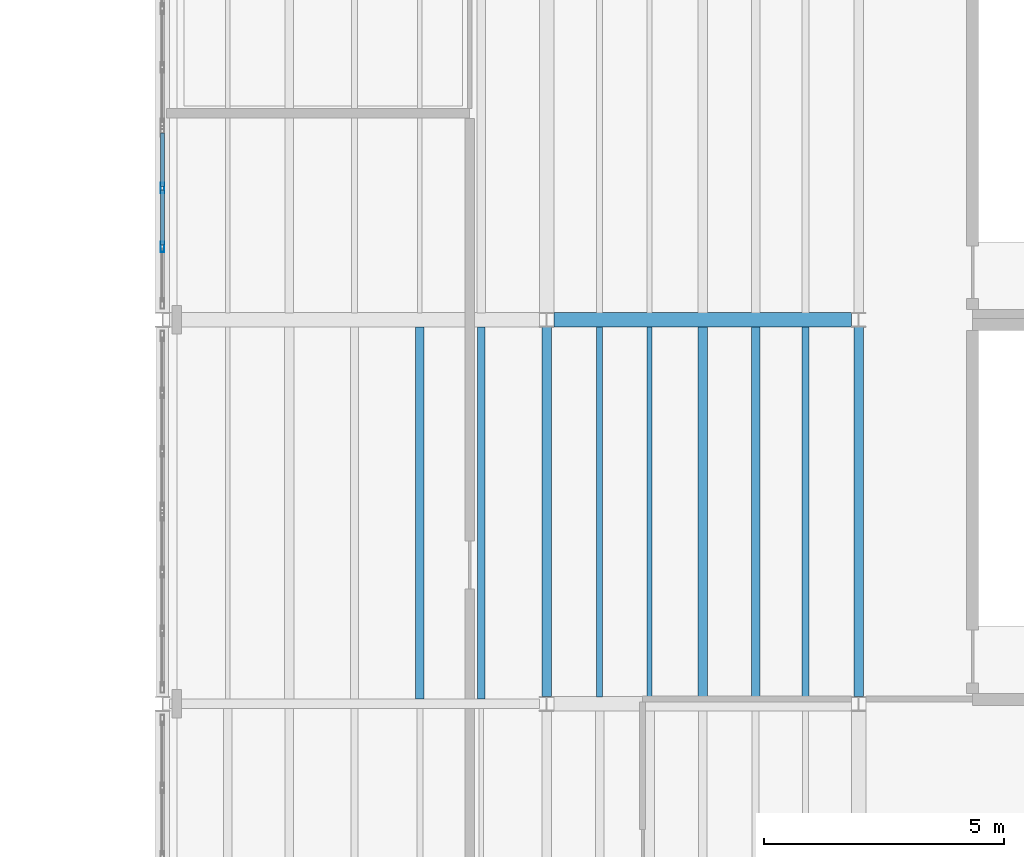
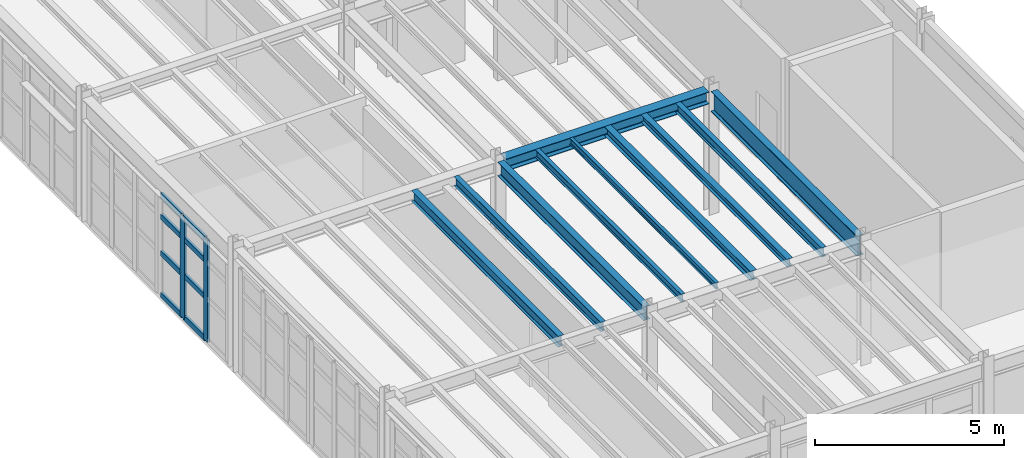
# One storey, part 6 of 27: 10 beams, 10 members, 1 element without a shape of its own.
"""IFC4 building model written with IfcOpenShell, lengths in metres."""

from ifc_helpers import new_model, si_unit, direction, frame, origin, origin_2d, place, context, subcontext, project, spatial, hollow_rectangle, i_section, extrude, material, material_profile, profile_set, type_object, element, aggregate, save


model = new_model("IFC4")

# Units and contexts
model_context = context("Model", 3, precision=1e-05, world=origin(), true_north=direction((0.0, 1.0)))
body_context = subcontext(model_context, "Body", "Model", "MODEL_VIEW")
ifc_project = project(units=[si_unit("LENGTHUNIT", "METRE"), si_unit("AREAUNIT", "SQUARE_METRE"), si_unit("VOLUMEUNIT", "CUBIC_METRE"), si_unit("PLANEANGLEUNIT", "RADIAN"), si_unit("MASSUNIT", "GRAM", prefix="KILO"), si_unit("THERMODYNAMICTEMPERATUREUNIT", "KELVIN"), si_unit("POWERUNIT", "WATT")], contexts=[model_context])

# Site, building, storey
site_placement = place(None, origin())
site = spatial("IfcSite", under=ifc_project, at=site_placement, CompositionType="ELEMENT")
building_placement = place(site_placement, origin())
building = spatial("IfcBuilding", under=site, at=building_placement, Name="Zhenchuan Central Fire Station", CompositionType="ELEMENT")
storey_placement = place(building_placement, frame((0.0, 0.0, 14.25)))
storey = spatial("IfcBuildingStorey", under=building, at=storey_placement, Name="L04", CompositionType="ELEMENT", Elevation=14.25)

# Beams
ifc_material_1 = material(Name="Steel Q355B", Category="steel")
ifc_material_profile_1 = material_profile(ifc_material_1, i_section(OverallWidth=0.300048828125, OverallDepth=0.389892578125, WebThickness=0.010009765625, FlangeThickness=0.01611328125, FilletRadius=0.02001953125, at=origin_2d()), Name="HM 390x300")
ifc_profile_set_1 = profile_set([ifc_material_profile_1], Name="Steel Q355B")
beam_type_1 = type_object("IfcBeamType", Name="BM-HM390-INT", PredefinedType="BEAM", material=ifc_profile_set_1)
beam_1_placement = place(storey_placement, frame((148.14990234375, 14.5, 3.784912109375), z_axis=(1.0, 0.0, 0.0), x_axis=(0.0, 1.0, 0.0)))
element("IfcBeam", 1, at=beam_1_placement, inside=storey, type_object=beam_type_1, Name="L05 Girder EW 0437", PredefinedType="BEAM", context=body_context, shape_type="SweptSolid", body=[
    extrude(i_section(OverallWidth=0.300048828125, OverallDepth=0.389892578125, WebThickness=0.010009765625, FlangeThickness=0.01611328125, FilletRadius=0.02001953125, at=origin_2d()), origin(), (0.0, 0.0, 1.0), 6.2001953125),
])
ifc_material_profile_2 = material_profile(ifc_material_1, i_section(OverallWidth=0.199951171875, OverallDepth=0.449951171875, WebThickness=0.009033203125, FlangeThickness=0.013916015625, FilletRadius=0.01806640625, at=origin_2d()), Name="HN 450x200")
ifc_profile_set_2 = profile_set([ifc_material_profile_2], Name="Steel Q355B")
beam_type_2 = type_object("IfcBeamType", Name="BM-HN450", PredefinedType="BEAM", material=ifc_profile_set_2)
beam_2_placement = place(storey_placement, frame((148.0, 6.64990234375, 3.7548828125), z_axis=(0.0, 1.0, 0.0), x_axis=(-1.0, 0.0, 0.0)))
element("IfcBeam", 2, at=beam_2_placement, inside=storey, type_object=beam_type_2, Name="L05 Girder NS 0467", PredefinedType="BEAM", context=body_context, shape_type="SweptSolid", body=[
    extrude(i_section(OverallWidth=0.199951171875, OverallDepth=0.449951171875, WebThickness=0.009033203125, FlangeThickness=0.013916015625, FilletRadius=0.01806640625, at=origin_2d()), origin(), (0.0, 0.0, 1.0), 7.7001953125),
])
ifc_material_profile_3 = material_profile(ifc_material_1, i_section(OverallWidth=0.199951171875, OverallDepth=0.64990234375, WebThickness=0.011962890625, FlangeThickness=0.02001953125, FilletRadius=0.02197265625, at=origin_2d()), Name="HN 650x200")
ifc_profile_set_3 = profile_set([ifc_material_profile_3], Name="Steel Q355B")
beam_type_3 = type_object("IfcBeamType", Name="BM-HN650", PredefinedType="BEAM", material=ifc_profile_set_3)
beam_3_placement = place(storey_placement, frame((154.5, 6.64990234375, 3.655029296875), z_axis=(0.0, 1.0, 0.0), x_axis=(-1.0, 0.0, 0.0)))
element("IfcBeam", 3, at=beam_3_placement, inside=storey, type_object=beam_type_3, Name="L05 Girder NS 0474", PredefinedType="BEAM", context=body_context, shape_type="SweptSolid", body=[
    extrude(i_section(OverallWidth=0.199951171875, OverallDepth=0.64990234375, WebThickness=0.011962890625, FlangeThickness=0.02001953125, FilletRadius=0.02197265625, at=origin_2d()), origin(), (0.0, 0.0, 1.0), 7.7001953125),
])

# Curtain wall, members
ifc_material_2 = material(Name="Anodised aluminium and low-E glazing", Category="aluminium")
curtain_wall_type = type_object("IfcCurtainWallType", Name="CW-MOD-14", PredefinedType="USERDEFINED", material=ifc_material_2)
curtain_wall_placement = place(storey_placement, origin())
curtain_wall = element("IfcCurtainWall", 4, at=curtain_wall_placement, inside=storey, type_object=curtain_wall_type, Name="L04 Unitised Curtain Wall 136", ObjectType="UNITISED GLAZING", PredefinedType="USERDEFINED")
ifc_material_3 = material(Name="Anodised aluminium EN AW-6063", Category="aluminium")
ifc_material_profile_4 = material_profile(ifc_material_3, hollow_rectangle(XDim=0.080078125, YDim=0.219970703125, WallThickness=0.005615234375, at=origin_2d()), Name="ALU-M 220x80")
ifc_profile_set_4 = profile_set([ifc_material_profile_4], Name="Anodised aluminium EN AW-6063")
member_type_1 = type_object("IfcMemberType", Name="CW-MUL200", PredefinedType="MULLION", material=ifc_profile_set_4)
member_1_placement = place(storey_placement, frame((140.0, 16.020751953125, -0.00390625), z_axis=(0.0, 0.0, 1.0), x_axis=(-1.0, 0.0, 0.0)))
member_1 = element("IfcMember", 5, at=member_1_placement, type_object=member_type_1, Name="CW-14 mullion 2", PredefinedType="MULLION", context=body_context, shape_type="SweptSolid", body=[
    extrude(hollow_rectangle(XDim=0.080078125, YDim=0.219970703125, WallThickness=0.005615234375, at=origin_2d()), origin(), (0.0, 0.0, 1.0), 3.27783203125),
])
member_2_placement = place(storey_placement, frame((140.0, 17.241455078125, -0.00390625), z_axis=(0.0, 0.0, 1.0), x_axis=(-1.0, 0.0, 0.0)))
member_2 = element("IfcMember", 6, at=member_2_placement, type_object=member_type_1, Name="CW-14 mullion 3", PredefinedType="MULLION", context=body_context, shape_type="SweptSolid", body=[
    extrude(hollow_rectangle(XDim=0.080078125, YDim=0.219970703125, WallThickness=0.005615234375, at=origin_2d()), origin(), (0.0, 0.0, 1.0), 3.27783203125),
])
ifc_material_profile_5 = material_profile(ifc_material_3, hollow_rectangle(XDim=0.080078125, YDim=0.1650390625, WallThickness=0.0048828125, at=origin_2d()), Name="ALU-T 165x80")
ifc_profile_set_5 = profile_set([ifc_material_profile_5], Name="Anodised aluminium EN AW-6063")
member_type_2 = type_object("IfcMemberType", Name="CW-TRN150", PredefinedType="NOTDEFINED", material=ifc_profile_set_5)
member_3_placement = place(storey_placement, frame((140.0, 16.05810546875, 0.033447265625), z_axis=(0.0, 1.0, 0.0), x_axis=(-1.0, 0.0, 0.0)))
member_3 = element("IfcMember", 7, at=member_3_placement, type_object=member_type_2, Name="CW-14 transom 2.1", ObjectType="TRANSOM", PredefinedType="USERDEFINED", context=body_context, shape_type="SweptSolid", body=[
    extrude(hollow_rectangle(XDim=0.080078125, YDim=0.1650390625, WallThickness=0.0048828125, at=origin_2d()), origin(), (0.0, 0.0, 1.0), 1.145751953125),
])
member_4_placement = place(storey_placement, frame((140.0, 16.05810546875, 1.375), z_axis=(0.0, 1.0, 0.0), x_axis=(-1.0, 0.0, 0.0)))
member_4 = element("IfcMember", 8, at=member_4_placement, type_object=member_type_2, Name="CW-14 transom 2.2", ObjectType="TRANSOM", PredefinedType="USERDEFINED", context=body_context, shape_type="SweptSolid", body=[
    extrude(hollow_rectangle(XDim=0.080078125, YDim=0.1650390625, WallThickness=0.0048828125, at=origin_2d()), origin(), (0.0, 0.0, 1.0), 1.145751953125),
])
member_5_placement = place(storey_placement, frame((140.0, 16.05810546875, 2.5537109375), z_axis=(0.0, 1.0, 0.0), x_axis=(-1.0, 0.0, 0.0)))
member_5 = element("IfcMember", 9, at=member_5_placement, type_object=member_type_2, Name="CW-14 transom 2.3", ObjectType="TRANSOM", PredefinedType="USERDEFINED", context=body_context, shape_type="SweptSolid", body=[
    extrude(hollow_rectangle(XDim=0.080078125, YDim=0.1650390625, WallThickness=0.0048828125, at=origin_2d()), origin(), (0.0, 0.0, 1.0), 1.145751953125),
])
member_6_placement = place(storey_placement, frame((140.0, 16.05810546875, 3.236572265625), z_axis=(0.0, 1.0, 0.0), x_axis=(-1.0, 0.0, 0.0)))
member_6 = element("IfcMember", 10, at=member_6_placement, type_object=member_type_2, Name="CW-14 transom 2.4", ObjectType="TRANSOM", PredefinedType="USERDEFINED", context=body_context, shape_type="SweptSolid", body=[
    extrude(hollow_rectangle(XDim=0.080078125, YDim=0.1650390625, WallThickness=0.0048828125, at=origin_2d()), origin(), (0.0, 0.0, 1.0), 1.145751953125),
])
member_7_placement = place(storey_placement, frame((140.0, 17.27880859375, 0.033447265625), z_axis=(0.0, 1.0, 0.0), x_axis=(-1.0, 0.0, 0.0)))
member_7 = element("IfcMember", 11, at=member_7_placement, type_object=member_type_2, Name="CW-14 transom 3.1", ObjectType="TRANSOM", PredefinedType="USERDEFINED", context=body_context, shape_type="SweptSolid", body=[
    extrude(hollow_rectangle(XDim=0.080078125, YDim=0.1650390625, WallThickness=0.0048828125, at=origin_2d()), origin(), (0.0, 0.0, 1.0), 1.108154296875),
])
member_8_placement = place(storey_placement, frame((140.0, 17.27880859375, 1.375), z_axis=(0.0, 1.0, 0.0), x_axis=(-1.0, 0.0, 0.0)))
member_8 = element("IfcMember", 12, at=member_8_placement, type_object=member_type_2, Name="CW-14 transom 3.2", ObjectType="TRANSOM", PredefinedType="USERDEFINED", context=body_context, shape_type="SweptSolid", body=[
    extrude(hollow_rectangle(XDim=0.080078125, YDim=0.1650390625, WallThickness=0.0048828125, at=origin_2d()), origin(), (0.0, 0.0, 1.0), 1.108154296875),
])
member_9_placement = place(storey_placement, frame((140.0, 17.27880859375, 2.5537109375), z_axis=(0.0, 1.0, 0.0), x_axis=(-1.0, 0.0, 0.0)))
member_9 = element("IfcMember", 13, at=member_9_placement, type_object=member_type_2, Name="CW-14 transom 3.3", ObjectType="TRANSOM", PredefinedType="USERDEFINED", context=body_context, shape_type="SweptSolid", body=[
    extrude(hollow_rectangle(XDim=0.080078125, YDim=0.1650390625, WallThickness=0.0048828125, at=origin_2d()), origin(), (0.0, 0.0, 1.0), 1.108154296875),
])
member_10_placement = place(storey_placement, frame((140.0, 17.27880859375, 3.236572265625), z_axis=(0.0, 1.0, 0.0), x_axis=(-1.0, 0.0, 0.0)))
member_10 = element("IfcMember", 14, at=member_10_placement, type_object=member_type_2, Name="CW-14 transom 3.4", ObjectType="TRANSOM", PredefinedType="USERDEFINED", context=body_context, shape_type="SweptSolid", body=[
    extrude(hollow_rectangle(XDim=0.080078125, YDim=0.1650390625, WallThickness=0.0048828125, at=origin_2d()), origin(), (0.0, 0.0, 1.0), 1.108154296875),
])
aggregate(curtain_wall, [member_1, member_2, member_3, member_4, member_5, member_6, member_7, member_8, member_9, member_10])

# Beams
ifc_material_profile_6 = material_profile(ifc_material_1, i_section(OverallWidth=0.175048828125, OverallDepth=0.243896484375, WebThickness=0.007080078125, FlangeThickness=0.010986328125, FilletRadius=0.012939453125, at=origin_2d()), Name="HM 244x175")
ifc_profile_set_6 = profile_set([ifc_material_profile_6], Name="Steel Q355B")
beam_type_4 = type_object("IfcBeamType", Name="JS-HM244", PredefinedType="JOIST", material=ifc_profile_set_6)
beam_4_placement = place(storey_placement, frame((152.35498046875, 6.64697265625, 3.85791015625), z_axis=(0.0, 1.0, 0.0), x_axis=(-1.0, 0.0, 0.0)))
element("IfcBeam", 15, at=beam_4_placement, inside=storey, type_object=beam_type_4, Name="L05 Secondary Joist 0720", PredefinedType="JOIST", context=body_context, shape_type="SweptSolid", body=[
    extrude(i_section(OverallWidth=0.175048828125, OverallDepth=0.243896484375, WebThickness=0.007080078125, FlangeThickness=0.010986328125, FilletRadius=0.012939453125, at=origin_2d()), origin(), (0.0, 0.0, 1.0), 7.7060546875),
])
ifc_material_profile_7 = material_profile(ifc_material_1, i_section(OverallWidth=0.199951171875, OverallDepth=0.2939453125, WebThickness=0.008056640625, FlangeThickness=0.011962890625, FilletRadius=0.01611328125, at=origin_2d()), Name="HM 294x200")
ifc_profile_set_7 = profile_set([ifc_material_profile_7], Name="Steel Q355B")
beam_type_5 = type_object("IfcBeamType", Name="JS-HM294", PredefinedType="JOIST", material=ifc_profile_set_7)
beam_5_placement = place(storey_placement, frame((151.25, 6.64697265625, 3.8330078125), z_axis=(0.0, 1.0, 0.0), x_axis=(-1.0, 0.0, 0.0)))
element("IfcBeam", 16, at=beam_5_placement, inside=storey, type_object=beam_type_5, Name="L05 Secondary Joist 0719", PredefinedType="JOIST", context=body_context, shape_type="SweptSolid", body=[
    extrude(i_section(OverallWidth=0.199951171875, OverallDepth=0.2939453125, WebThickness=0.008056640625, FlangeThickness=0.011962890625, FilletRadius=0.01611328125, at=origin_2d()), origin(), (0.0, 0.0, 1.0), 7.7060546875),
])
ifc_material_profile_8 = material_profile(ifc_material_1, i_section(OverallWidth=0.10009765625, OverallDepth=0.199951171875, WebThickness=0.005615234375, FlangeThickness=0.008056640625, FilletRadius=0.010986328125, at=origin_2d()), Name="HN 200x100")
ifc_profile_set_8 = profile_set([ifc_material_profile_8], Name="Steel Q355B")
beam_type_6 = type_object("IfcBeamType", Name="JS-HN200", PredefinedType="JOIST", material=ifc_profile_set_8)
beam_6_placement = place(storey_placement, frame((150.14501953125, 6.64697265625, 3.8798828125), z_axis=(0.0, 1.0, 0.0), x_axis=(-1.0, 0.0, 0.0)))
element("IfcBeam", 17, at=beam_6_placement, inside=storey, type_object=beam_type_6, Name="L05 Secondary Joist 0718", PredefinedType="JOIST", context=body_context, shape_type="SweptSolid", body=[
    extrude(i_section(OverallWidth=0.10009765625, OverallDepth=0.199951171875, WebThickness=0.005615234375, FlangeThickness=0.008056640625, FilletRadius=0.010986328125, at=origin_2d()), origin(), (0.0, 0.0, 1.0), 7.7060546875),
])
ifc_material_profile_9 = material_profile(ifc_material_1, i_section(OverallWidth=0.125, OverallDepth=0.25, WebThickness=0.006103515625, FlangeThickness=0.009033203125, FilletRadius=0.011962890625, at=origin_2d()), Name="HN 250x125")
ifc_profile_set_9 = profile_set([ifc_material_profile_9], Name="Steel Q355B")
beam_type_7 = type_object("IfcBeamType", Name="JS-HN250", PredefinedType="JOIST", material=ifc_profile_set_9)
beam_7_placement = place(storey_placement, frame((149.10498046875, 6.64697265625, 3.85498046875), z_axis=(0.0, 1.0, 0.0), x_axis=(-1.0, 0.0, 0.0)))
element("IfcBeam", 18, at=beam_7_placement, inside=storey, type_object=beam_type_7, Name="L05 Secondary Joist 0717", PredefinedType="JOIST", context=body_context, shape_type="SweptSolid", body=[
    extrude(i_section(OverallWidth=0.125, OverallDepth=0.25, WebThickness=0.006103515625, FlangeThickness=0.009033203125, FilletRadius=0.011962890625, at=origin_2d()), origin(), (0.0, 0.0, 1.0), 7.7060546875),
])
ifc_material_profile_10 = material_profile(ifc_material_1, i_section(OverallWidth=0.14990234375, OverallDepth=0.300048828125, WebThickness=0.006591796875, FlangeThickness=0.009033203125, FilletRadius=0.012939453125, at=origin_2d()), Name="HN 300x150")
ifc_profile_set_10 = profile_set([ifc_material_profile_10], Name="Steel Q355B")
beam_type_8 = type_object("IfcBeamType", Name="JS-HN300", PredefinedType="JOIST", material=ifc_profile_set_10)
beam_8_placement = place(storey_placement, frame((146.639892578125, 6.596923828125, 3.830078125), z_axis=(0.0, 1.0, 0.0), x_axis=(-1.0, 0.0, 0.0)))
element("IfcBeam", 19, at=beam_8_placement, inside=storey, type_object=beam_type_8, Name="L05 Secondary Joist 0716", PredefinedType="JOIST", context=body_context, shape_type="SweptSolid", body=[
    extrude(i_section(OverallWidth=0.14990234375, OverallDepth=0.300048828125, WebThickness=0.006591796875, FlangeThickness=0.009033203125, FilletRadius=0.012939453125, at=origin_2d()), origin(), (0.0, 0.0, 1.0), 7.756103515625),
])
beam_9_placement = place(storey_placement, frame((153.39501953125, 6.64697265625, 3.830078125), z_axis=(0.0, 1.0, 0.0), x_axis=(-1.0, 0.0, 0.0)))
element("IfcBeam", 20, at=beam_9_placement, inside=storey, type_object=beam_type_8, Name="L05 Secondary Joist 0721", PredefinedType="JOIST", context=body_context, shape_type="SweptSolid", body=[
    extrude(i_section(OverallWidth=0.14990234375, OverallDepth=0.300048828125, WebThickness=0.006591796875, FlangeThickness=0.009033203125, FilletRadius=0.012939453125, at=origin_2d()), origin(), (0.0, 0.0, 1.0), 7.7060546875),
])
ifc_material_profile_11 = material_profile(ifc_material_1, i_section(OverallWidth=0.175048828125, OverallDepth=0.35009765625, WebThickness=0.007080078125, FlangeThickness=0.010986328125, FilletRadius=0.013916015625, at=origin_2d()), Name="HN 350x175")
ifc_profile_set_11 = profile_set([ifc_material_profile_11], Name="Steel Q355B")
beam_type_9 = type_object("IfcBeamType", Name="JS-HN350", PredefinedType="JOIST", material=ifc_profile_set_11)
beam_10_placement = place(storey_placement, frame((145.360107421875, 6.596923828125, 3.804931640625), z_axis=(0.0, 1.0, 0.0), x_axis=(-1.0, 0.0, 0.0)))
element("IfcBeam", 21, at=beam_10_placement, inside=storey, type_object=beam_type_9, Name="L05 Secondary Joist 0715", PredefinedType="JOIST", context=body_context, shape_type="SweptSolid", body=[
    extrude(i_section(OverallWidth=0.175048828125, OverallDepth=0.35009765625, WebThickness=0.007080078125, FlangeThickness=0.010986328125, FilletRadius=0.013916015625, at=origin_2d()), origin(), (0.0, 0.0, 1.0), 7.756103515625),
])

save(model, "model.ifc")
